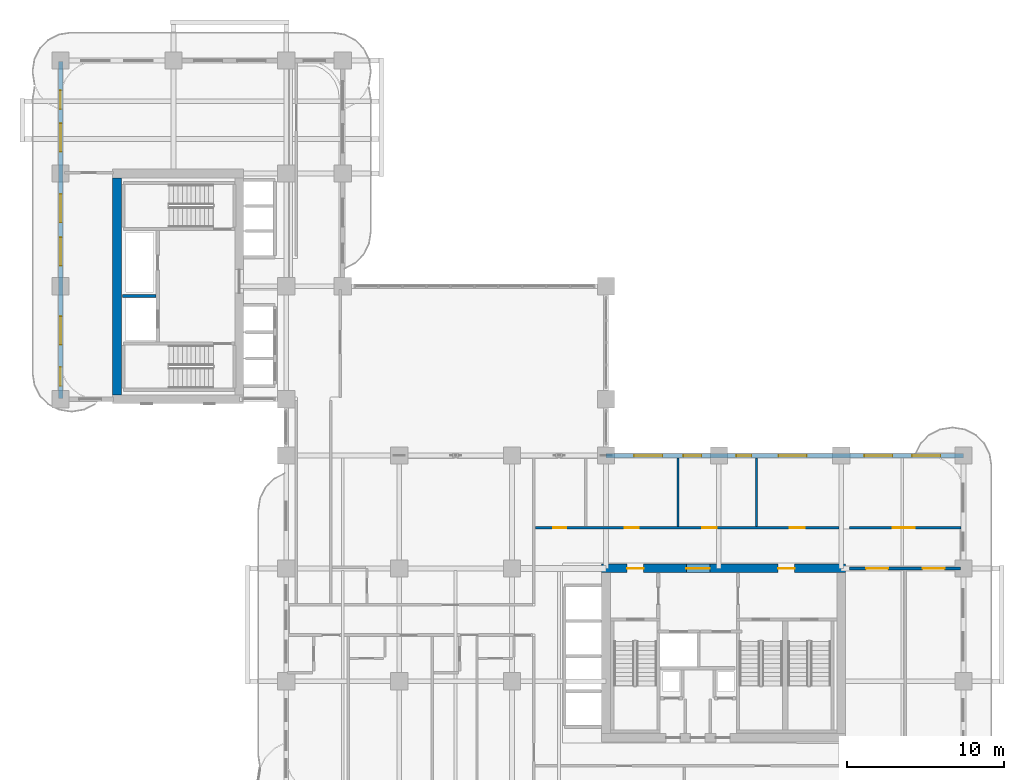
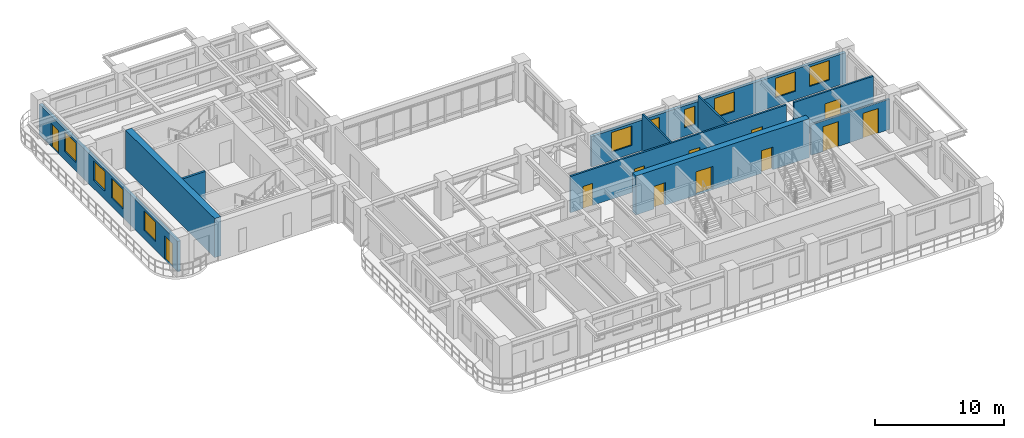
# One storey, part 14 of 21: 12 doors, 10 walls, 10 windows, 22 openings.
"""IFC4 building model written with IfcOpenShell, lengths in metres."""

from ifc_helpers import new_model, si_unit, derived_unit, direction, frame, frame_2d, origin, place, context, subcontext, project, spatial, rectangle, extrude, source, transform, mapped, material, layer, layer_set, type_object, type_shapes, element, fill, save


model = new_model("IFC4")

# Units and contexts
model_context = context("Model", 3, precision=1e-05, world=origin(), true_north=direction((0.0, 1.0)))
body_context = subcontext(model_context, "Body", "Model", "MODEL_VIEW")
ifc_project = project(units=[si_unit("LENGTHUNIT", "METRE"), si_unit("AREAUNIT", "SQUARE_METRE"), si_unit("VOLUMEUNIT", "CUBIC_METRE"), si_unit("PLANEANGLEUNIT", "RADIAN"), si_unit("MASSUNIT", "GRAM", prefix="KILO"), si_unit("THERMODYNAMICTEMPERATUREUNIT", "KELVIN"), si_unit("POWERUNIT", "WATT"), derived_unit("THERMALTRANSMITTANCEUNIT", [(si_unit("POWERUNIT", "WATT"), 1), (si_unit("AREAUNIT", "SQUARE_METRE"), -1), (si_unit("THERMODYNAMICTEMPERATUREUNIT", "KELVIN"), -1)])], contexts=[model_context])

# Site, building, storey
site_placement = place(None, origin())
site = spatial("IfcSite", under=ifc_project, at=site_placement, CompositionType="ELEMENT")
building_placement = place(site_placement, origin())
building = spatial("IfcBuilding", under=site, at=building_placement, Name="Zahravan Archway Hotel and Residences", CompositionType="ELEMENT")
storey_placement = place(building_placement, frame((0.0, 0.0, 65.699951171875)))
storey = spatial("IfcBuildingStorey", under=building, at=storey_placement, Name="L15", CompositionType="ELEMENT", Elevation=65.699951171875)

# Wall, openings, doors
ifc_material_1 = material(Name="Concrete C70/85", Category="concrete")
ifc_layer_1 = layer(ifc_material_1, 0.550048828125, Name="Concrete C70/85", Category="concrete")
ifc_layer_set_1 = layer_set([ifc_layer_1], Name="Concrete C70/85")
wall_type_1 = type_object("IfcWallType", Name="CW-CORE-550", PredefinedType="SHEAR", material=ifc_layer_set_1)
wall_1_placement = place(storey_placement, frame((34.52490234375, 14.39990234375, 0.0), z_axis=(0.0, 0.0, 1.0), x_axis=(1.0, 0.0, 0.0)))
wall_1 = element("IfcWall", 1, at=wall_1_placement, inside=storey, type_object=wall_type_1, Name="L15 Core A Shear N Wall 550 mm", PredefinedType="SHEAR", context=body_context, shape_type="SweptSolid", body=[
    extrude(rectangle(XDim=15.550048828125, YDim=0.550048828125, at=frame_2d((7.77490234375, 0.0))), origin(), (0.0, 0.0, 1.0), 3.699951171875),
])
opening_1_placement = place(wall_1_placement, frame((5.405029296875, 0.0, 0.0)))
opening_1 = element("IfcOpeningElement", 2, at=opening_1_placement, cuts=wall_1, Name="Opening FD-L1", PredefinedType="OPENING", context=body_context, shape_type="SweptSolid", body=[
    extrude(rectangle(XDim=1.5, YDim=2.199951171875, at=frame_2d((0.75, 1.10009765625))), frame((0.0, 0.28515625, 0.0), z_axis=(0.0, -1.0, 0.0), x_axis=(1.0, 0.0, 0.0)), (0.0, 0.0, 1.0), 0.570068359375),
])
opening_2_placement = place(wall_1_placement, frame((1.6201171875, 0.0, 0.0)))
opening_2 = element("IfcOpeningElement", 3, at=opening_2_placement, cuts=wall_1, Name="Opening FD-L2", PredefinedType="OPENING", context=body_context, shape_type="SweptSolid", body=[
    extrude(rectangle(XDim=1.050048828125, YDim=2.14990234375, at=frame_2d((0.52490234375, 1.074951171875))), frame((0.0, 0.28515625, 0.0), z_axis=(0.0, -1.0, 0.0), x_axis=(1.0, 0.0, 0.0)), (0.0, 0.0, 1.0), 0.570068359375),
])
opening_3_placement = place(wall_1_placement, frame((11.25, 0.0, 0.0)))
opening_3 = element("IfcOpeningElement", 4, at=opening_3_placement, cuts=wall_1, Name="Opening FD-L2", PredefinedType="OPENING", context=body_context, shape_type="SweptSolid", body=[
    extrude(rectangle(XDim=1.050048828125, YDim=2.14990234375, at=frame_2d((0.52490234375, 1.074951171875))), frame((0.0, 0.28515625, 0.0), z_axis=(0.0, -1.0, 0.0), x_axis=(1.0, 0.0, 0.0)), (0.0, 0.0, 1.0), 0.570068359375),
])
ifc_material_2 = material(Name="Fire-Rated Painted Steel", Category="steel")
door_type_1 = type_object("IfcDoorType", Name="FD-LOBBY-1100", OperationType="NOTDEFINED", PredefinedType="DOOR", material=ifc_material_2)
shared_shape_1 = source(origin(), body_context, "Body", "SweptSolid", [
    extrude(rectangle(XDim=1.050048828125, YDim=2.14990234375, at=frame_2d((0.52490234375, 1.074951171875))), frame((0.0, 0.02490234375, 0.0), z_axis=(0.0, -1.0, 0.0), x_axis=(1.0, 0.0, 0.0)), (0.0, 0.0, 1.0), 0.050048828125),
])
type_shapes(door_type_1, [shared_shape_1])
door_1_placement = place(opening_2_placement, origin())
door_1 = element("IfcDoor", 5, at=door_1_placement, inside=storey, type_object=door_type_1, Name="L15 Core A West Stair Lobby Door", OperationType="SINGLE_SWING_LEFT", OverallHeight=2.14990234375, OverallWidth=1.050048828125, PredefinedType="DOOR", context=body_context, shape_type="MappedRepresentation", body=[
    mapped(shared_shape_1, transform((0.0, 0.0, 0.0), scale=1.0)),
])
fill(opening_2, door_1)
door_2_placement = place(opening_3_placement, origin())
door_2 = element("IfcDoor", 6, at=door_2_placement, inside=storey, type_object=door_type_1, Name="L15 Core A East Stair Lobby Door", OperationType="SINGLE_SWING_RIGHT", OverallHeight=2.14990234375, OverallWidth=1.050048828125, PredefinedType="DOOR", context=body_context, shape_type="MappedRepresentation", body=[
    mapped(shared_shape_1, transform((0.0, 0.0, 0.0), scale=1.0)),
])
fill(opening_3, door_2)
door_type_2 = type_object("IfcDoorType", Name="FD-LOBBY-1500", OperationType="DOUBLE_DOOR_SINGLE_SWING", PredefinedType="DOOR", material=ifc_material_2)
shared_shape_2 = source(origin(), body_context, "Body", "SweptSolid", [
    extrude(rectangle(XDim=1.5, YDim=2.199951171875, at=frame_2d((0.75, 1.10009765625))), frame((0.0, 0.02490234375, 0.0), z_axis=(0.0, -1.0, 0.0), x_axis=(1.0, 0.0, 0.0)), (0.0, 0.0, 1.0), 0.050048828125),
])
type_shapes(door_type_2, [shared_shape_2])
door_3_placement = place(opening_1_placement, origin())
door_3 = element("IfcDoor", 7, at=door_3_placement, inside=storey, type_object=door_type_2, Name="L15 Core A FSAE Lobby Main Door", OperationType="DOUBLE_DOOR_SINGLE_SWING", OverallHeight=2.199951171875, OverallWidth=1.5, PredefinedType="DOOR", context=body_context, shape_type="MappedRepresentation", body=[
    mapped(shared_shape_2, transform((0.0, 0.0, 0.0), scale=1.0)),
])
fill(opening_1, door_3)

# Wall
wall_2_placement = place(storey_placement, frame((3.60009765625, 25.47509765625, 0.0), z_axis=(0.0, 0.0, 1.0), x_axis=(0.0, 1.0, 0.0)))
element("IfcWall", 8, at=wall_2_placement, inside=storey, type_object=wall_type_1, Name="L15 Core B Shear W Wall 550 mm", PredefinedType="SHEAR", context=body_context, shape_type="SweptSolid", body=[
    extrude(rectangle(XDim=13.849853515625, YDim=0.550048828125, at=frame_2d((6.9248046875, 0.0))), origin(), (0.0, 0.0, 1.0), 3.699951171875),
])

# Wall, openings, windows
ifc_material_3 = material(Name="Honed Red-Ochre Sandstone & Insulated Block", Category="masonry")
ifc_layer_2 = layer(ifc_material_3, 0.280029296875, Name="Honed Red-Ochre Sandstone & Insulated Block", Category="masonry")
ifc_layer_set_2 = layer_set([ifc_layer_2], Name="Honed Red-Ochre Sandstone & Insulated Block")
wall_type_2 = type_object("IfcWallType", Name="EW-LOG-280", PredefinedType="SOLIDWALL", material=ifc_layer_set_2)
wall_3_placement = place(storey_placement, frame((34.800048828125, 21.60009765625, 0.0), z_axis=(0.0, 0.0, 1.0), x_axis=(1.0, 0.0, 0.0)))
wall_3 = element("IfcWall", 9, at=wall_3_placement, inside=storey, type_object=wall_type_2, Name="L15 Exterior Sandstone Wall WA-NE", PredefinedType="SOLIDWALL", context=body_context, shape_type="SweptSolid", body=[
    extrude(rectangle(XDim=22.800048828125, YDim=0.280029296875, at=frame_2d((11.39990234375, 0.0))), origin(), (0.0, 0.0, 1.0), 2.885009765625),
])
opening_4_placement = place(wall_3_placement, frame((1.7958984375, 0.0, 0.800048828125)))
opening_4 = element("IfcOpeningElement", 10, at=opening_4_placement, cuts=wall_3, Name="Opening W-02", PredefinedType="OPENING", context=body_context, shape_type="SweptSolid", body=[
    extrude(rectangle(XDim=1.800048828125, YDim=1.85009765625, at=frame_2d((0.89990234375, 0.925048828125))), frame((0.0, 0.14990234375, 0.0), z_axis=(0.0, -1.0, 0.0), x_axis=(1.0, 0.0, 0.0)), (0.0, 0.0, 1.0), 0.300048828125),
])
opening_5_placement = place(wall_3_placement, frame((4.928955078125, 0.0, 0.800048828125)))
opening_5 = element("IfcOpeningElement", 11, at=opening_5_placement, cuts=wall_3, Name="Opening W-05", PredefinedType="OPENING", context=body_context, shape_type="SweptSolid", body=[
    extrude(rectangle(XDim=1.14990234375, YDim=1.800048828125, at=frame_2d((0.574951171875, 0.89990234375))), frame((0.0, 0.14990234375, 0.0), z_axis=(0.0, -1.0, 0.0), x_axis=(1.0, 0.0, 0.0)), (0.0, 0.0, 1.0), 0.300048828125),
])
opening_6_placement = place(wall_3_placement, frame((8.321044921875, 0.0, 0.800048828125)))
opening_6 = element("IfcOpeningElement", 12, at=opening_6_placement, cuts=wall_3, Name="Opening W-04", PredefinedType="OPENING", context=body_context, shape_type="SweptSolid", body=[
    extrude(rectangle(XDim=0.949951171875, YDim=1.75, at=frame_2d((0.47509765625, 0.875))), frame((0.0, 0.14990234375, 0.0), z_axis=(0.0, -1.0, 0.0), x_axis=(1.0, 0.0, 0.0)), (0.0, 0.0, 1.0), 0.300048828125),
])
opening_7_placement = place(wall_3_placement, frame((11.00390625, 0.0, 0.800048828125)))
opening_7 = element("IfcOpeningElement", 13, at=opening_7_placement, cuts=wall_3, Name="Opening W-02", PredefinedType="OPENING", context=body_context, shape_type="SweptSolid", body=[
    extrude(rectangle(XDim=1.800048828125, YDim=1.85009765625, at=frame_2d((0.89990234375, 0.925048828125))), frame((0.0, 0.14990234375, 0.0), z_axis=(0.0, -1.0, 0.0), x_axis=(1.0, 0.0, 0.0)), (0.0, 0.0, 1.0), 0.300048828125),
])
opening_8_placement = place(wall_3_placement, frame((16.47509765625, 0.0, 0.800048828125)))
opening_8 = element("IfcOpeningElement", 14, at=opening_8_placement, cuts=wall_3, Name="Opening W-02", PredefinedType="OPENING", context=body_context, shape_type="SweptSolid", body=[
    extrude(rectangle(XDim=1.800048828125, YDim=1.85009765625, at=frame_2d((0.89990234375, 0.925048828125))), frame((0.0, 0.14990234375, 0.0), z_axis=(0.0, -1.0, 0.0), x_axis=(1.0, 0.0, 0.0)), (0.0, 0.0, 1.0), 0.300048828125),
])
opening_9_placement = place(wall_3_placement, frame((19.52490234375, 0.0, 0.800048828125)))
opening_9 = element("IfcOpeningElement", 15, at=opening_9_placement, cuts=wall_3, Name="Opening W-02", PredefinedType="OPENING", context=body_context, shape_type="SweptSolid", body=[
    extrude(rectangle(XDim=1.800048828125, YDim=1.85009765625, at=frame_2d((0.89990234375, 0.925048828125))), frame((0.0, 0.14990234375, 0.0), z_axis=(0.0, -1.0, 0.0), x_axis=(1.0, 0.0, 0.0)), (0.0, 0.0, 1.0), 0.300048828125),
])
ifc_material_4 = material(Name="Bronze-Anodized Thermal-Break Aluminium & Low-E Glass", Category="aluminium")
window_type_1 = type_object("IfcWindowType", Name="WIN-NAR-950", PartitioningType="SINGLE_PANEL", PredefinedType="WINDOW", material=ifc_material_4)
shared_shape_3 = source(origin(), body_context, "Body", "SweptSolid", [
    extrude(rectangle(XDim=0.949951171875, YDim=1.75, at=frame_2d((0.47509765625, 0.875))), frame((0.0, 0.030029296875, 0.0), z_axis=(0.0, -1.0, 0.0), x_axis=(1.0, 0.0, 0.0)), (0.0, 0.0, 1.0), 0.06005859375),
])
type_shapes(window_type_1, [shared_shape_3])
window_1_placement = place(opening_6_placement, origin())
window_1 = element("IfcWindow", 16, at=window_1_placement, inside=storey, type_object=window_type_1, Name="L15 Loggia Window 21", OverallHeight=1.75, OverallWidth=0.949951171875, PartitioningType="SINGLE_PANEL", PredefinedType="WINDOW", context=body_context, shape_type="MappedRepresentation", body=[
    mapped(shared_shape_3, transform((0.0, 0.0, 0.0), scale=1.0)),
])
fill(opening_6, window_1)
window_type_2 = type_object("IfcWindowType", Name="WIN-TWR-1800", PartitioningType="DOUBLE_PANEL_VERTICAL", PredefinedType="WINDOW", material=ifc_material_4)
shared_shape_4 = source(origin(), body_context, "Body", "SweptSolid", [
    extrude(rectangle(XDim=1.800048828125, YDim=1.85009765625, at=frame_2d((0.89990234375, 0.925048828125))), frame((0.0, 0.030029296875, 0.0), z_axis=(0.0, -1.0, 0.0), x_axis=(1.0, 0.0, 0.0)), (0.0, 0.0, 1.0), 0.06005859375),
])
type_shapes(window_type_2, [shared_shape_4])
window_2_placement = place(opening_4_placement, origin())
window_2 = element("IfcWindow", 17, at=window_2_placement, inside=storey, type_object=window_type_2, Name="L15 Loggia Window 19", OverallHeight=1.85009765625, OverallWidth=1.800048828125, PartitioningType="DOUBLE_PANEL_VERTICAL", PredefinedType="WINDOW", context=body_context, shape_type="MappedRepresentation", body=[
    mapped(shared_shape_4, transform((0.0, 0.0, 0.0), scale=1.0)),
])
fill(opening_4, window_2)
window_3_placement = place(opening_7_placement, origin())
window_3 = element("IfcWindow", 18, at=window_3_placement, inside=storey, type_object=window_type_2, Name="L15 Loggia Window 22", OverallHeight=1.85009765625, OverallWidth=1.800048828125, PartitioningType="DOUBLE_PANEL_VERTICAL", PredefinedType="WINDOW", context=body_context, shape_type="MappedRepresentation", body=[
    mapped(shared_shape_4, transform((0.0, 0.0, 0.0), scale=1.0)),
])
fill(opening_7, window_3)
window_4_placement = place(opening_8_placement, origin())
window_4 = element("IfcWindow", 19, at=window_4_placement, inside=storey, type_object=window_type_2, Name="L15 Loggia Window 23", OverallHeight=1.85009765625, OverallWidth=1.800048828125, PartitioningType="DOUBLE_PANEL_VERTICAL", PredefinedType="WINDOW", context=body_context, shape_type="MappedRepresentation", body=[
    mapped(shared_shape_4, transform((0.0, 0.0, 0.0), scale=1.0)),
])
fill(opening_8, window_4)
window_5_placement = place(opening_9_placement, origin())
window_5 = element("IfcWindow", 20, at=window_5_placement, inside=storey, type_object=window_type_2, Name="L15 Loggia Window 24", OverallHeight=1.85009765625, OverallWidth=1.800048828125, PartitioningType="DOUBLE_PANEL_VERTICAL", PredefinedType="WINDOW", context=body_context, shape_type="MappedRepresentation", body=[
    mapped(shared_shape_4, transform((0.0, 0.0, 0.0), scale=1.0)),
])
fill(opening_9, window_5)
window_type_3 = type_object("IfcWindowType", Name="WIN-TWR-1150", PartitioningType="SINGLE_PANEL", PredefinedType="WINDOW", material=ifc_material_4)
shared_shape_5 = source(origin(), body_context, "Body", "SweptSolid", [
    extrude(rectangle(XDim=1.14990234375, YDim=1.800048828125, at=frame_2d((0.574951171875, 0.89990234375))), frame((0.0, 0.030029296875, 0.0), z_axis=(0.0, -1.0, 0.0), x_axis=(1.0, 0.0, 0.0)), (0.0, 0.0, 1.0), 0.06005859375),
])
type_shapes(window_type_3, [shared_shape_5])
window_6_placement = place(opening_5_placement, origin())
window_6 = element("IfcWindow", 21, at=window_6_placement, inside=storey, type_object=window_type_3, Name="L15 Loggia Window 20", OverallHeight=1.800048828125, OverallWidth=1.14990234375, PartitioningType="SINGLE_PANEL", PredefinedType="WINDOW", context=body_context, shape_type="MappedRepresentation", body=[
    mapped(shared_shape_5, transform((0.0, 0.0, 0.0), scale=1.0)),
])
fill(opening_5, window_6)

# Wall, openings, doors, windows
wall_4_placement = place(storey_placement, frame((0.0, 25.25, 0.0), z_axis=(0.0, 0.0, 1.0), x_axis=(0.0, 1.0, 0.0)))
wall_4 = element("IfcWall", 22, at=wall_4_placement, inside=storey, type_object=wall_type_2, Name="L15 Exterior Sandstone Wall WB-W", PredefinedType="SOLIDWALL", context=body_context, shape_type="SweptSolid", body=[
    extrude(rectangle(XDim=21.5, YDim=0.280029296875, at=frame_2d((10.75, 0.0))), origin(), (0.0, 0.0, 1.0), 2.885009765625),
])
opening_10_placement = place(wall_4_placement, frame((18.449951171875, 0.0, 0.0)))
opening_10 = element("IfcOpeningElement", 23, at=opening_10_placement, cuts=wall_4, Name="Opening ED-BL1", PredefinedType="OPENING", context=body_context, shape_type="SweptSolid", body=[
    extrude(rectangle(XDim=1.199951171875, YDim=2.199951171875, at=frame_2d((0.60009765625, 1.10009765625))), frame((0.0, 0.14990234375, 0.0), z_axis=(0.0, -1.0, 0.0), x_axis=(1.0, 0.0, 0.0)), (0.0, 0.0, 1.0), 0.300048828125),
])
opening_11_placement = place(wall_4_placement, frame((0.800048828125, 0.0, 0.0)))
opening_11 = element("IfcOpeningElement", 24, at=opening_11_placement, cuts=wall_4, Name="Opening ED-BL1", PredefinedType="OPENING", context=body_context, shape_type="SweptSolid", body=[
    extrude(rectangle(XDim=1.199951171875, YDim=2.199951171875, at=frame_2d((0.60009765625, 1.10009765625))), frame((0.0, 0.14990234375, 0.0), z_axis=(0.0, -1.0, 0.0), x_axis=(1.0, 0.0, 0.0)), (0.0, 0.0, 1.0), 0.300048828125),
])
opening_12_placement = place(wall_4_placement, frame((3.425048828125, 0.0, 0.800048828125)))
opening_12 = element("IfcOpeningElement", 25, at=opening_12_placement, cuts=wall_4, Name="Opening W-02", PredefinedType="OPENING", context=body_context, shape_type="SweptSolid", body=[
    extrude(rectangle(XDim=1.800048828125, YDim=1.85009765625, at=frame_2d((0.89990234375, 0.925048828125))), frame((0.0, 0.14990234375, 0.0), z_axis=(0.0, -1.0, 0.0), x_axis=(1.0, 0.0, 0.0)), (0.0, 0.0, 1.0), 0.300048828125),
])
opening_13_placement = place(wall_4_placement, frame((8.47509765625, 0.0, 0.800048828125)))
opening_13 = element("IfcOpeningElement", 26, at=opening_13_placement, cuts=wall_4, Name="Opening W-02", PredefinedType="OPENING", context=body_context, shape_type="SweptSolid", body=[
    extrude(rectangle(XDim=1.800048828125, YDim=1.85009765625, at=frame_2d((0.89990234375, 0.925048828125))), frame((0.0, 0.14990234375, 0.0), z_axis=(0.0, -1.0, 0.0), x_axis=(1.0, 0.0, 0.0)), (0.0, 0.0, 1.0), 0.300048828125),
])
opening_14_placement = place(wall_4_placement, frame((11.22509765625, 0.0, 0.800048828125)))
opening_14 = element("IfcOpeningElement", 27, at=opening_14_placement, cuts=wall_4, Name="Opening W-02", PredefinedType="OPENING", context=body_context, shape_type="SweptSolid", body=[
    extrude(rectangle(XDim=1.800048828125, YDim=1.85009765625, at=frame_2d((0.89990234375, 0.925048828125))), frame((0.0, 0.14990234375, 0.0), z_axis=(0.0, -1.0, 0.0), x_axis=(1.0, 0.0, 0.0)), (0.0, 0.0, 1.0), 0.300048828125),
])
opening_15_placement = place(wall_4_placement, frame((15.75, 0.0, 0.800048828125)))
opening_15 = element("IfcOpeningElement", 28, at=opening_15_placement, cuts=wall_4, Name="Opening W-02", PredefinedType="OPENING", context=body_context, shape_type="SweptSolid", body=[
    extrude(rectangle(XDim=1.800048828125, YDim=1.85009765625, at=frame_2d((0.89990234375, 0.925048828125))), frame((0.0, 0.14990234375, 0.0), z_axis=(0.0, -1.0, 0.0), x_axis=(1.0, 0.0, 0.0)), (0.0, 0.0, 1.0), 0.300048828125),
])
ifc_material_5 = material(Name="Bronze-Anodized Glazed Aluminium", Category="aluminium")
door_type_3 = type_object("IfcDoorType", Name="ED-BALC-1200", OperationType="SLIDING_TO_LEFT", PredefinedType="DOOR", material=ifc_material_5)
shared_shape_6 = source(origin(), body_context, "Body", "SweptSolid", [
    extrude(rectangle(XDim=1.199951171875, YDim=2.199951171875, at=frame_2d((0.60009765625, 1.10009765625))), frame((0.0, 0.02490234375, 0.0), z_axis=(0.0, -1.0, 0.0), x_axis=(1.0, 0.0, 0.0)), (0.0, 0.0, 1.0), 0.050048828125),
])
type_shapes(door_type_3, [shared_shape_6])
door_4_placement = place(opening_10_placement, origin())
door_4 = element("IfcDoor", 29, at=door_4_placement, inside=storey, type_object=door_type_3, Name="L15 Outdoor Access Sliding Door (SLB-BAL-L15-NB)", OperationType="SLIDING_TO_LEFT", OverallHeight=2.199951171875, OverallWidth=1.199951171875, PredefinedType="DOOR", context=body_context, shape_type="MappedRepresentation", body=[
    mapped(shared_shape_6, transform((0.0, 0.0, 0.0), scale=1.0)),
])
fill(opening_10, door_4)
door_5_placement = place(opening_11_placement, origin())
door_5 = element("IfcDoor", 30, at=door_5_placement, inside=storey, type_object=door_type_3, Name="L15 Outdoor Access Sliding Door (SLB-BAL-L15-WB)", OperationType="SLIDING_TO_LEFT", OverallHeight=2.199951171875, OverallWidth=1.199951171875, PredefinedType="DOOR", context=body_context, shape_type="MappedRepresentation", body=[
    mapped(shared_shape_6, transform((0.0, 0.0, 0.0), scale=1.0)),
])
fill(opening_11, door_5)
window_7_placement = place(opening_12_placement, origin())
window_7 = element("IfcWindow", 31, at=window_7_placement, inside=storey, type_object=window_type_2, Name="L15 Loggia Window 32", OverallHeight=1.85009765625, OverallWidth=1.800048828125, PartitioningType="DOUBLE_PANEL_VERTICAL", PredefinedType="WINDOW", context=body_context, shape_type="MappedRepresentation", body=[
    mapped(shared_shape_4, transform((0.0, 0.0, 0.0), scale=1.0)),
])
fill(opening_12, window_7)
window_8_placement = place(opening_13_placement, origin())
window_8 = element("IfcWindow", 32, at=window_8_placement, inside=storey, type_object=window_type_2, Name="L15 Loggia Window 33", OverallHeight=1.85009765625, OverallWidth=1.800048828125, PartitioningType="DOUBLE_PANEL_VERTICAL", PredefinedType="WINDOW", context=body_context, shape_type="MappedRepresentation", body=[
    mapped(shared_shape_4, transform((0.0, 0.0, 0.0), scale=1.0)),
])
fill(opening_13, window_8)
window_9_placement = place(opening_14_placement, origin())
window_9 = element("IfcWindow", 33, at=window_9_placement, inside=storey, type_object=window_type_2, Name="L15 Loggia Window 34", OverallHeight=1.85009765625, OverallWidth=1.800048828125, PartitioningType="DOUBLE_PANEL_VERTICAL", PredefinedType="WINDOW", context=body_context, shape_type="MappedRepresentation", body=[
    mapped(shared_shape_4, transform((0.0, 0.0, 0.0), scale=1.0)),
])
fill(opening_14, window_9)
window_10_placement = place(opening_15_placement, origin())
window_10 = element("IfcWindow", 34, at=window_10_placement, inside=storey, type_object=window_type_2, Name="L15 Loggia Window 35", OverallHeight=1.85009765625, OverallWidth=1.800048828125, PartitioningType="DOUBLE_PANEL_VERTICAL", PredefinedType="WINDOW", context=body_context, shape_type="MappedRepresentation", body=[
    mapped(shared_shape_4, transform((0.0, 0.0, 0.0), scale=1.0)),
])
fill(opening_15, window_10)

# Wall, openings, doors
ifc_material_6 = material(Name="Fire-Rated Gypsum & Concrete Block", Category="concrete")
ifc_layer_3 = layer(ifc_material_6, 0.159912109375, Name="Fire-Rated Gypsum & Concrete Block", Category="concrete")
ifc_layer_set_3 = layer_set([ifc_layer_3], Name="Fire-Rated Gypsum & Concrete Block")
wall_type_3 = type_object("IfcWallType", Name="PW-CORR-160", PredefinedType="PARTITIONING", material=ifc_layer_set_3)
wall_5_placement = place(storey_placement, frame((30.2900390625, 17.0, 0.0), z_axis=(0.0, 0.0, 1.0), x_axis=(1.0, 0.0, 0.0)))
wall_5 = element("IfcWall", 35, at=wall_5_placement, inside=storey, type_object=wall_type_3, Name="L15 Partition WA-FN", PredefinedType="PARTITIONING", context=body_context, shape_type="SweptSolid", body=[
    extrude(rectangle(XDim=19.369873046875, YDim=0.159912109375, at=frame_2d((9.68505859375, 0.0))), origin(), (0.0, 0.0, 1.0), 3.449951171875),
])
opening_16_placement = place(wall_5_placement, frame((1.135009765625, 0.0, 0.0)))
opening_16 = element("IfcOpeningElement", 36, at=opening_16_placement, cuts=wall_5, Name="Opening D-B1", PredefinedType="OPENING", context=body_context, shape_type="SweptSolid", body=[
    extrude(rectangle(XDim=0.85009765625, YDim=2.10009765625, at=frame_2d((0.425048828125, 1.050048828125))), frame((0.0, 0.08984375, 0.0), z_axis=(0.0, -1.0, 0.0), x_axis=(1.0, 0.0, 0.0)), (0.0, 0.0, 1.0), 0.179931640625),
])
opening_17_placement = place(wall_5_placement, frame((5.7099609375, 0.0, 0.0)))
opening_17 = element("IfcOpeningElement", 37, at=opening_17_placement, cuts=wall_5, Name="Opening D-I2", PredefinedType="OPENING", context=body_context, shape_type="SweptSolid", body=[
    extrude(rectangle(XDim=0.89990234375, YDim=2.14990234375, at=frame_2d((0.449951171875, 1.074951171875))), frame((0.0, 0.08984375, 0.0), z_axis=(0.0, -1.0, 0.0), x_axis=(1.0, 0.0, 0.0)), (0.0, 0.0, 1.0), 0.179931640625),
])
opening_18_placement = place(wall_5_placement, frame((10.635009765625, 0.0, 0.0)))
opening_18 = element("IfcOpeningElement", 38, at=opening_18_placement, cuts=wall_5, Name="Opening D-I1", PredefinedType="OPENING", context=body_context, shape_type="SweptSolid", body=[
    extrude(rectangle(XDim=0.949951171875, YDim=2.14990234375, at=frame_2d((0.47509765625, 1.074951171875))), frame((0.0, 0.08984375, 0.0), z_axis=(0.0, -1.0, 0.0), x_axis=(1.0, 0.0, 0.0)), (0.0, 0.0, 1.0), 0.179931640625),
])
opening_19_placement = place(wall_5_placement, frame((16.235107421875, 0.0, 0.0)))
opening_19 = element("IfcOpeningElement", 39, at=opening_19_placement, cuts=wall_5, Name="Opening D-I1", PredefinedType="OPENING", context=body_context, shape_type="SweptSolid", body=[
    extrude(rectangle(XDim=0.949951171875, YDim=2.14990234375, at=frame_2d((0.47509765625, 1.074951171875))), frame((0.0, 0.08984375, 0.0), z_axis=(0.0, -1.0, 0.0), x_axis=(1.0, 0.0, 0.0)), (0.0, 0.0, 1.0), 0.179931640625),
])
ifc_material_7 = material(Name="Hardwood Veneer Timber", Category="wood")
door_type_4 = type_object("IfcDoorType", Name="ID-BATH-850", OperationType="NOTDEFINED", PredefinedType="DOOR", material=ifc_material_7)
shared_shape_7 = source(origin(), body_context, "Body", "SweptSolid", [
    extrude(rectangle(XDim=0.85009765625, YDim=2.10009765625, at=frame_2d((0.425048828125, 1.050048828125))), frame((0.0, 0.02490234375, 0.0), z_axis=(0.0, -1.0, 0.0), x_axis=(1.0, 0.0, 0.0)), (0.0, 0.0, 1.0), 0.050048828125),
])
type_shapes(door_type_4, [shared_shape_7])
door_6_placement = place(opening_16_placement, origin())
door_6 = element("IfcDoor", 40, at=door_6_placement, inside=storey, type_object=door_type_4, Name="L15 Accessible WC Door", OperationType="SINGLE_SWING_RIGHT", OverallHeight=2.10009765625, OverallWidth=0.85009765625, PredefinedType="DOOR", context=body_context, shape_type="MappedRepresentation", body=[
    mapped(shared_shape_7, transform((0.0, 0.0, 0.0), scale=1.0)),
])
fill(opening_16, door_6)
door_type_5 = type_object("IfcDoorType", Name="ID-INT-950", OperationType="NOTDEFINED", PredefinedType="DOOR", material=ifc_material_7)
shared_shape_8 = source(origin(), body_context, "Body", "SweptSolid", [
    extrude(rectangle(XDim=0.949951171875, YDim=2.14990234375, at=frame_2d((0.47509765625, 1.074951171875))), frame((0.0, 0.02490234375, 0.0), z_axis=(0.0, -1.0, 0.0), x_axis=(1.0, 0.0, 0.0)), (0.0, 0.0, 1.0), 0.050048828125),
])
type_shapes(door_type_5, [shared_shape_8])
door_7_placement = place(opening_18_placement, origin())
door_7 = element("IfcDoor", 41, at=door_7_placement, inside=storey, type_object=door_type_5, Name="L15 Boardroom Door", OperationType="SINGLE_SWING_RIGHT", OverallHeight=2.14990234375, OverallWidth=0.949951171875, PredefinedType="DOOR", context=body_context, shape_type="MappedRepresentation", body=[
    mapped(shared_shape_8, transform((0.0, 0.0, 0.0), scale=1.0)),
])
fill(opening_18, door_7)
door_8_placement = place(opening_19_placement, origin())
door_8 = element("IfcDoor", 42, at=door_8_placement, inside=storey, type_object=door_type_5, Name="L15 Therapy Clinic Door", OperationType="SINGLE_SWING_LEFT", OverallHeight=2.14990234375, OverallWidth=0.949951171875, PredefinedType="DOOR", context=body_context, shape_type="MappedRepresentation", body=[
    mapped(shared_shape_8, transform((0.0, 0.0, 0.0), scale=1.0)),
])
fill(opening_19, door_8)
door_type_6 = type_object("IfcDoorType", Name="ID-INT-900", OperationType="NOTDEFINED", PredefinedType="DOOR", material=ifc_material_7)
shared_shape_9 = source(origin(), body_context, "Body", "SweptSolid", [
    extrude(rectangle(XDim=0.89990234375, YDim=2.14990234375, at=frame_2d((0.449951171875, 1.074951171875))), frame((0.0, 0.02490234375, 0.0), z_axis=(0.0, -1.0, 0.0), x_axis=(1.0, 0.0, 0.0)), (0.0, 0.0, 1.0), 0.050048828125),
])
type_shapes(door_type_6, [shared_shape_9])
door_9_placement = place(opening_17_placement, origin())
door_9 = element("IfcDoor", 43, at=door_9_placement, inside=storey, type_object=door_type_6, Name="L15 Pantry Door", OperationType="SINGLE_SWING_LEFT", OverallHeight=2.14990234375, OverallWidth=0.89990234375, PredefinedType="DOOR", context=body_context, shape_type="MappedRepresentation", body=[
    mapped(shared_shape_9, transform((0.0, 0.0, 0.0), scale=1.0)),
])
fill(opening_17, door_9)

# Wall, opening, door
wall_6_placement = place(storey_placement, frame((50.340087890625, 17.0, 0.0), z_axis=(0.0, 0.0, 1.0), x_axis=(1.0, 0.0, 0.0)))
wall_6 = element("IfcWall", 44, at=wall_6_placement, inside=storey, type_object=wall_type_3, Name="L15 Partition EA-PN", PredefinedType="PARTITIONING", context=body_context, shape_type="SweptSolid", body=[
    extrude(rectangle(XDim=7.11181640625, YDim=0.159912109375, at=frame_2d((3.555908203125, 0.0))), origin(), (0.0, 0.0, 1.0), 3.449951171875),
])
opening_20_placement = place(wall_6_placement, frame((2.760009765625, 0.0, 0.0)))
opening_20 = element("IfcOpeningElement", 45, at=opening_20_placement, cuts=wall_6, Name="Opening D-P1", PredefinedType="OPENING", context=body_context, shape_type="SweptSolid", body=[
    extrude(rectangle(XDim=1.39990234375, YDim=2.35009765625, at=frame_2d((0.699951171875, 1.175048828125))), frame((0.0, 0.08984375, 0.0), z_axis=(0.0, -1.0, 0.0), x_axis=(1.0, 0.0, 0.0)), (0.0, 0.0, 1.0), 0.179931640625),
])
door_type_7 = type_object("IfcDoorType", Name="ID-PUBLIC-1400", OperationType="DOUBLE_DOOR_SINGLE_SWING", PredefinedType="DOOR", material=ifc_material_5)
shared_shape_10 = source(origin(), body_context, "Body", "SweptSolid", [
    extrude(rectangle(XDim=1.39990234375, YDim=2.35009765625, at=frame_2d((0.699951171875, 1.175048828125))), frame((0.0, 0.02490234375, 0.0), z_axis=(0.0, -1.0, 0.0), x_axis=(1.0, 0.0, 0.0)), (0.0, 0.0, 1.0), 0.050048828125),
])
type_shapes(door_type_7, [shared_shape_10])
door_10_placement = place(opening_20_placement, origin())
door_10 = element("IfcDoor", 46, at=door_10_placement, inside=storey, type_object=door_type_7, Name="L15 East Fitness Studio Door", OperationType="DOUBLE_DOOR_SINGLE_SWING", OverallHeight=2.35009765625, OverallWidth=1.39990234375, PredefinedType="DOOR", context=body_context, shape_type="MappedRepresentation", body=[
    mapped(shared_shape_10, transform((0.0, 0.0, 0.0), scale=1.0)),
])
fill(opening_20, door_10)

# Wall
ifc_layer_4 = layer(ifc_material_6, 0.199951171875, Name="Fire-Rated Gypsum & Concrete Block", Category="concrete")
ifc_layer_set_4 = layer_set([ifc_layer_4], Name="Fire-Rated Gypsum & Concrete Block")
wall_type_4 = type_object("IfcWallType", Name="PW-SHAFT-200", PredefinedType="PARTITIONING", material=ifc_layer_set_4)
wall_7_placement = place(storey_placement, frame((3.9599609375, 31.780029296875, 0.0), z_axis=(0.0, 0.0, 1.0), x_axis=(1.0, 0.0, 0.0)))
element("IfcWall", 47, at=wall_7_placement, inside=storey, type_object=wall_type_4, Name="L15 Partition CB-FL3N", PredefinedType="PARTITIONING", context=body_context, shape_type="SweptSolid", body=[
    extrude(rectangle(XDim=2.130126953125, YDim=0.199951171875, at=frame_2d((1.06494140625, 0.0))), origin(), (0.0, 0.0, 1.0), 3.449951171875),
])

# Wall, openings, doors
ifc_material_8 = material(Name="Acoustic Stud Partition")
ifc_layer_5 = layer(ifc_material_8, 0.169921875, Name="Acoustic Stud Partition")
ifc_layer_set_5 = layer_set([ifc_layer_5], Name="Acoustic Stud Partition")
wall_type_5 = type_object("IfcWallType", Name="PW-UNIT-170", PredefinedType="PARTITIONING", material=ifc_layer_set_5)
wall_8_placement = place(storey_placement, frame((50.340087890625, 14.39990234375, 0.0), z_axis=(0.0, 0.0, 1.0), x_axis=(1.0, 0.0, 0.0)))
wall_8 = element("IfcWall", 48, at=wall_8_placement, inside=storey, type_object=wall_type_5, Name="L15 Partition EA-PS", PredefinedType="PARTITIONING", context=body_context, shape_type="SweptSolid", body=[
    extrude(rectangle(XDim=7.06982421875, YDim=0.169921875, at=frame_2d((3.534912109375, 0.0))), origin(), (0.0, 0.0, 1.0), 2.885009765625),
])
opening_21_placement = place(wall_8_placement, frame((1.06005859375, 0.0, 0.0)))
opening_21 = element("IfcOpeningElement", 49, at=opening_21_placement, cuts=wall_8, Name="Opening D-P1", PredefinedType="OPENING", context=body_context, shape_type="SweptSolid", body=[
    extrude(rectangle(XDim=1.39990234375, YDim=2.35009765625, at=frame_2d((0.699951171875, 1.175048828125))), frame((0.0, 0.094970703125, 0.0), z_axis=(0.0, -1.0, 0.0), x_axis=(1.0, 0.0, 0.0)), (0.0, 0.0, 1.0), 0.18994140625),
])
opening_22_placement = place(wall_8_placement, frame((4.659912109375, 0.0, 0.0)))
opening_22 = element("IfcOpeningElement", 50, at=opening_22_placement, cuts=wall_8, Name="Opening D-P1", PredefinedType="OPENING", context=body_context, shape_type="SweptSolid", body=[
    extrude(rectangle(XDim=1.39990234375, YDim=2.35009765625, at=frame_2d((0.699951171875, 1.175048828125))), frame((0.0, 0.094970703125, 0.0), z_axis=(0.0, -1.0, 0.0), x_axis=(1.0, 0.0, 0.0)), (0.0, 0.0, 1.0), 0.18994140625),
])
door_11_placement = place(opening_21_placement, origin())
door_11 = element("IfcDoor", 51, at=door_11_placement, inside=storey, type_object=door_type_7, Name="L15 East Conference Room Door", OperationType="DOUBLE_DOOR_SINGLE_SWING", OverallHeight=2.35009765625, OverallWidth=1.39990234375, PredefinedType="DOOR", context=body_context, shape_type="MappedRepresentation", body=[
    mapped(shared_shape_10, transform((0.0, 0.0, 0.0), scale=1.0)),
])
fill(opening_21, door_11)
door_12_placement = place(opening_22_placement, origin())
door_12 = element("IfcDoor", 52, at=door_12_placement, inside=storey, type_object=door_type_7, Name="L15 East Salon Door", OperationType="DOUBLE_DOOR_SINGLE_SWING", OverallHeight=2.35009765625, OverallWidth=1.39990234375, PredefinedType="DOOR", context=body_context, shape_type="MappedRepresentation", body=[
    mapped(shared_shape_10, transform((0.0, 0.0, 0.0), scale=1.0)),
])
fill(opening_22, door_12)

# Walls
ifc_material_9 = material(Name="Moisture-Resistant Blockwork", Category="masonry")
ifc_layer_6 = layer(ifc_material_9, 0.139892578125, Name="Moisture-Resistant Blockwork", Category="masonry")
ifc_layer_set_6 = layer_set([ifc_layer_6], Name="Moisture-Resistant Blockwork")
wall_type_6 = type_object("IfcWallType", Name="PW-WET-140", PredefinedType="PARTITIONING", material=ifc_layer_set_6)
for number, where, z_axis, x_axis, name in (
    (53, (39.39990234375, 17.090087890625, 0.0), (0.0, 0.0, 1.0), (0.0, 1.0, 0.0), "L15 Partition NE2-2"),
    (54, (44.39990234375, 17.090087890625, 0.0), (0.0, 0.0, 1.0), (0.0, 1.0, 0.0), "L15 Partition NE2-3"),
):
    element("IfcWall", number, at=place(storey_placement, frame(where, z_axis=z_axis, x_axis=x_axis)), inside=storey, type_object=wall_type_6, Name=name, PredefinedType="PARTITIONING", context=body_context, shape_type="SweptSolid", body=[
        extrude(rectangle(XDim=4.36181640625, YDim=0.139892578125, at=frame_2d((2.180908203125, 0.0))), origin(), (0.0, 0.0, 1.0), 3.449951171875),
    ])

save(model, "model.ifc")
